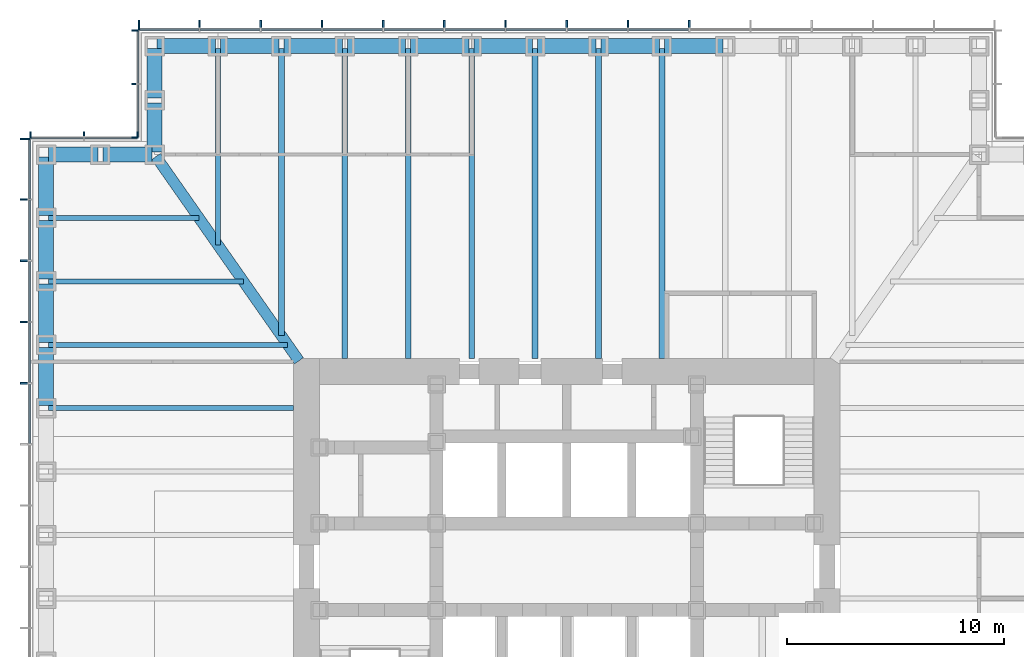
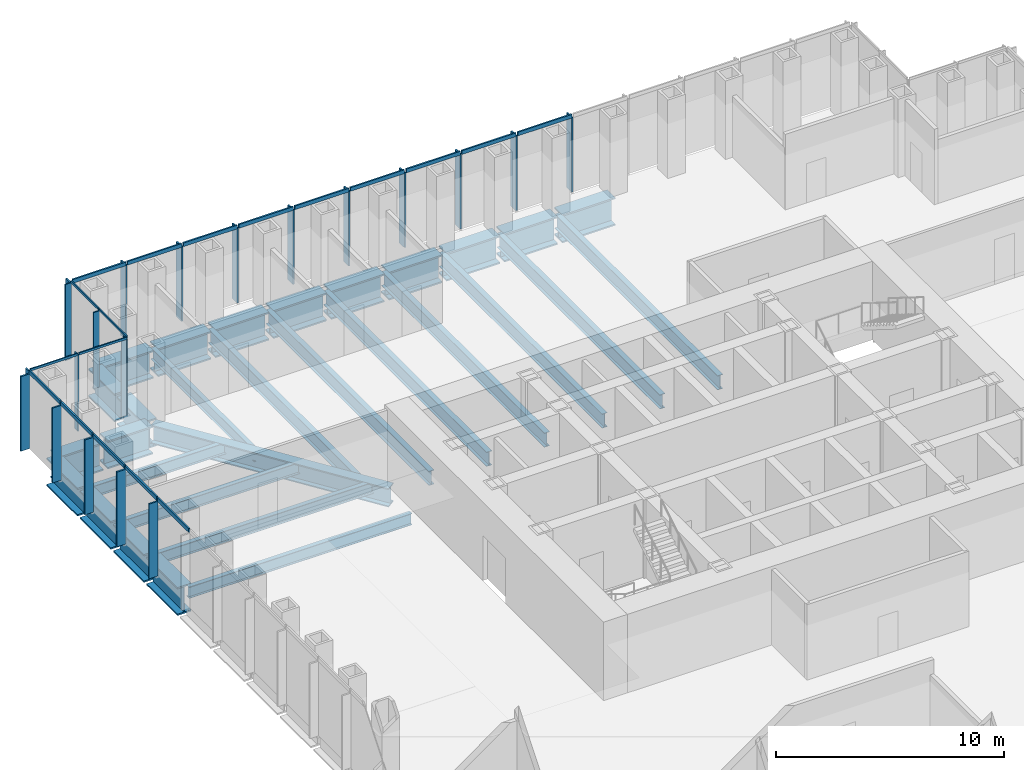
# One storey, part 5 of 16: 39 members, 30 beams, 4 elements without a shape of their own.
"""IFC4 building model written with IfcOpenShell, lengths in metres."""

from ifc_helpers import new_model, si_unit, direction, frame, origin, origin_2d, place, context, subcontext, project, spatial, rectangle, i_section, extrude, material, material_profile, profile_set, type_object, element, aggregate, save


model = new_model("IFC4")

# Units and contexts
model_context = context("Model", 3, precision=1e-05, world=origin(), true_north=direction((0.0, 1.0)))
body_context = subcontext(model_context, "Body", "Model", "MODEL_VIEW")
ifc_project = project(units=[si_unit("LENGTHUNIT", "METRE"), si_unit("AREAUNIT", "SQUARE_METRE"), si_unit("VOLUMEUNIT", "CUBIC_METRE"), si_unit("PLANEANGLEUNIT", "RADIAN"), si_unit("MASSUNIT", "GRAM", prefix="KILO")], contexts=[model_context])

# Site, building, storey
site_placement = place(None, origin())
site = spatial("IfcSite", under=ifc_project, at=site_placement, CompositionType="ELEMENT")
building_placement = place(site_placement, origin())
building = spatial("IfcBuilding", under=site, at=building_placement, Name="Daluyong Arena Tower", CompositionType="ELEMENT")
storey_placement = place(building_placement, frame((0.0, 0.0, 68.5)))
storey = spatial("IfcBuildingStorey", under=building, at=storey_placement, Name="L14", CompositionType="ELEMENT", Elevation=68.5)

# Curtain wall, members
ifc_material_1 = material(Name="Bronze anodised aluminium and glass", Category="aluminium")
curtain_wall_type_1 = type_object("IfcCurtainWallType", Name="Curtain wall CW1", PredefinedType="USERDEFINED", material=ifc_material_1)
curtain_wall_1_placement = place(storey_placement, origin())
curtain_wall_1 = element("IfcCurtainWall", 1, at=curtain_wall_1_placement, inside=storey, type_object=curtain_wall_type_1, Name="curtain wall L14 N", ObjectType="UNITISED CURTAIN WALL", PredefinedType="USERDEFINED")
ifc_material_2 = material(Name="Bronze anodised aluminium fin", Category="aluminium")
ifc_material_profile_1 = material_profile(ifc_material_2, rectangle(XDim=0.449951171875, YDim=0.080078125, at=origin_2d()))
ifc_profile_set_1 = profile_set([ifc_material_profile_1], Name="Bronze anodised aluminium fin")
member_type_1 = type_object("IfcMemberType", Name="CW1 bronze fin 450x80", PredefinedType="MULLION", material=ifc_profile_set_1)
member_1_placement = place(storey_placement, frame((61.642822265625, 104.97509765625, 0.0), z_axis=(0.0, 0.0, 1.0), x_axis=(0.0, -1.0, 0.0)))
member_1 = element("IfcMember", 2, at=member_1_placement, type_object=member_type_1, Name="curtain wall L14 N fin 6", PredefinedType="MULLION", context=body_context, shape_type="SweptSolid", body=[
    extrude(rectangle(XDim=0.449951171875, YDim=0.080078125, at=origin_2d()), origin(), (0.0, 0.0, 1.0), 4.0),
])
member_2_placement = place(storey_placement, frame((58.821533203125, 104.97509765625, 0.0), z_axis=(0.0, 0.0, 1.0), x_axis=(0.0, -1.0, 0.0)))
member_2 = element("IfcMember", 3, at=member_2_placement, type_object=member_type_1, Name="curtain wall L14 N fin 7", PredefinedType="MULLION", context=body_context, shape_type="SweptSolid", body=[
    extrude(rectangle(XDim=0.449951171875, YDim=0.080078125, at=origin_2d()), origin(), (0.0, 0.0, 1.0), 4.0),
])
member_3_placement = place(storey_placement, frame((56.0, 104.97509765625, 0.0), z_axis=(0.0, 0.0, 1.0), x_axis=(0.0, -1.0, 0.0)))
member_3 = element("IfcMember", 4, at=member_3_placement, type_object=member_type_1, Name="curtain wall L14 N fin 8", PredefinedType="MULLION", context=body_context, shape_type="SweptSolid", body=[
    extrude(rectangle(XDim=0.449951171875, YDim=0.080078125, at=origin_2d()), origin(), (0.0, 0.0, 1.0), 4.0),
])
member_4_placement = place(storey_placement, frame((53.178466796875, 104.97509765625, 0.0), z_axis=(0.0, 0.0, 1.0), x_axis=(0.0, -1.0, 0.0)))
member_4 = element("IfcMember", 5, at=member_4_placement, type_object=member_type_1, Name="curtain wall L14 N fin 9", PredefinedType="MULLION", context=body_context, shape_type="SweptSolid", body=[
    extrude(rectangle(XDim=0.449951171875, YDim=0.080078125, at=origin_2d()), origin(), (0.0, 0.0, 1.0), 4.0),
])
member_5_placement = place(storey_placement, frame((50.357177734375, 104.97509765625, 0.0), z_axis=(0.0, 0.0, 1.0), x_axis=(0.0, -1.0, 0.0)))
member_5 = element("IfcMember", 6, at=member_5_placement, type_object=member_type_1, Name="curtain wall L14 N fin 10", PredefinedType="MULLION", context=body_context, shape_type="SweptSolid", body=[
    extrude(rectangle(XDim=0.449951171875, YDim=0.080078125, at=origin_2d()), origin(), (0.0, 0.0, 1.0), 4.0),
])
member_6_placement = place(storey_placement, frame((47.53564453125, 104.97509765625, 0.0), z_axis=(0.0, 0.0, 1.0), x_axis=(0.0, -1.0, 0.0)))
member_6 = element("IfcMember", 7, at=member_6_placement, type_object=member_type_1, Name="curtain wall L14 N fin 11", PredefinedType="MULLION", context=body_context, shape_type="SweptSolid", body=[
    extrude(rectangle(XDim=0.449951171875, YDim=0.080078125, at=origin_2d()), origin(), (0.0, 0.0, 1.0), 4.0),
])
member_7_placement = place(storey_placement, frame((44.71435546875, 104.97509765625, 0.0), z_axis=(0.0, 0.0, 1.0), x_axis=(0.0, -1.0, 0.0)))
member_7 = element("IfcMember", 8, at=member_7_placement, type_object=member_type_1, Name="curtain wall L14 N fin 12", PredefinedType="MULLION", context=body_context, shape_type="SweptSolid", body=[
    extrude(rectangle(XDim=0.449951171875, YDim=0.080078125, at=origin_2d()), origin(), (0.0, 0.0, 1.0), 4.0),
])
member_8_placement = place(storey_placement, frame((41.892822265625, 104.97509765625, 0.0), z_axis=(0.0, 0.0, 1.0), x_axis=(0.0, -1.0, 0.0)))
member_8 = element("IfcMember", 9, at=member_8_placement, type_object=member_type_1, Name="curtain wall L14 N fin 13", PredefinedType="MULLION", context=body_context, shape_type="SweptSolid", body=[
    extrude(rectangle(XDim=0.449951171875, YDim=0.080078125, at=origin_2d()), origin(), (0.0, 0.0, 1.0), 4.0),
])
member_9_placement = place(storey_placement, frame((39.071533203125, 104.97509765625, 0.0), z_axis=(0.0, 0.0, 1.0), x_axis=(0.0, -1.0, 0.0)))
member_9 = element("IfcMember", 10, at=member_9_placement, type_object=member_type_1, Name="curtain wall L14 N fin 14", PredefinedType="MULLION", context=body_context, shape_type="SweptSolid", body=[
    extrude(rectangle(XDim=0.449951171875, YDim=0.080078125, at=origin_2d()), origin(), (0.0, 0.0, 1.0), 4.0),
])
member_10_placement = place(storey_placement, frame((36.2900390625, 104.97509765625, 0.0), z_axis=(0.0, 0.0, 1.0), x_axis=(0.0, -1.0, 0.0)))
member_10 = element("IfcMember", 11, at=member_10_placement, type_object=member_type_1, Name="curtain wall L14 N fin 15", PredefinedType="MULLION", context=body_context, shape_type="SweptSolid", body=[
    extrude(rectangle(XDim=0.449951171875, YDim=0.080078125, at=origin_2d()), origin(), (0.0, 0.0, 1.0), 4.0),
])

curtain_wall_2_placement = place(storey_placement, origin())
curtain_wall_2 = element("IfcCurtainWall", 12, at=curtain_wall_2_placement, inside=storey, type_object=curtain_wall_type_1, Name="curtain wall L14 W", ObjectType="UNITISED CURTAIN WALL", PredefinedType="USERDEFINED")
member_11_placement = place(storey_placement, frame((31.02490234375, 99.7099609375, 0.0), z_axis=(0.0, 0.0, 1.0), x_axis=(1.0, 0.0, 0.0)))
member_11 = element("IfcMember", 13, at=member_11_placement, type_object=member_type_1, Name="curtain wall L14 W fin 1", PredefinedType="MULLION", context=body_context, shape_type="SweptSolid", body=[
    extrude(rectangle(XDim=0.449951171875, YDim=0.080078125, at=origin_2d()), origin(), (0.0, 0.0, 1.0), 4.0),
])
member_12_placement = place(storey_placement, frame((31.02490234375, 96.928466796875, 0.0), z_axis=(0.0, 0.0, 1.0), x_axis=(1.0, 0.0, 0.0)))
member_12 = element("IfcMember", 14, at=member_12_placement, type_object=member_type_1, Name="curtain wall L14 W fin 2", PredefinedType="MULLION", context=body_context, shape_type="SweptSolid", body=[
    extrude(rectangle(XDim=0.449951171875, YDim=0.080078125, at=origin_2d()), origin(), (0.0, 0.0, 1.0), 4.0),
])
member_13_placement = place(storey_placement, frame((31.02490234375, 94.107177734375, 0.0), z_axis=(0.0, 0.0, 1.0), x_axis=(1.0, 0.0, 0.0)))
member_13 = element("IfcMember", 15, at=member_13_placement, type_object=member_type_1, Name="curtain wall L14 W fin 3", PredefinedType="MULLION", context=body_context, shape_type="SweptSolid", body=[
    extrude(rectangle(XDim=0.449951171875, YDim=0.080078125, at=origin_2d()), origin(), (0.0, 0.0, 1.0), 4.0),
])
member_14_placement = place(storey_placement, frame((31.02490234375, 91.28564453125, 0.0), z_axis=(0.0, 0.0, 1.0), x_axis=(1.0, 0.0, 0.0)))
member_14 = element("IfcMember", 16, at=member_14_placement, type_object=member_type_1, Name="curtain wall L14 W fin 4", PredefinedType="MULLION", context=body_context, shape_type="SweptSolid", body=[
    extrude(rectangle(XDim=0.449951171875, YDim=0.080078125, at=origin_2d()), origin(), (0.0, 0.0, 1.0), 4.0),
])
member_15_placement = place(storey_placement, frame((31.02490234375, 88.46435546875, 0.0), z_axis=(0.0, 0.0, 1.0), x_axis=(1.0, 0.0, 0.0)))
member_15 = element("IfcMember", 17, at=member_15_placement, type_object=member_type_1, Name="curtain wall L14 W fin 5", PredefinedType="MULLION", context=body_context, shape_type="SweptSolid", body=[
    extrude(rectangle(XDim=0.449951171875, YDim=0.080078125, at=origin_2d()), origin(), (0.0, 0.0, 1.0), 4.0),
])

# Member
ifc_material_3 = material(Name="Bronze anodised aluminium", Category="aluminium")
ifc_material_profile_2 = material_profile(ifc_material_3, rectangle(XDim=0.080078125, YDim=0.199951171875, at=origin_2d()))
ifc_profile_set_2 = profile_set([ifc_material_profile_2], Name="Bronze anodised aluminium")
member_type_2 = type_object("IfcMemberType", Name="CW1 stack transom 200x80", PredefinedType="USERDEFINED", material=ifc_profile_set_2)
member_16_placement = place(storey_placement, frame((61.602783203125, 104.75, 4.10009765625), z_axis=(-1.0, 0.0, 0.0), x_axis=(0.0, -1.0, 0.0)))
member_16 = element("IfcMember", 18, at=member_16_placement, type_object=member_type_2, Name="curtain wall L14 N transom 6", ObjectType="TRANSOM", PredefinedType="USERDEFINED", context=body_context, shape_type="SweptSolid", body=[
    extrude(rectangle(XDim=0.080078125, YDim=0.199951171875, at=origin_2d()), origin(), (0.0, 0.0, 1.0), 2.741455078125),
])

member_17_placement = place(storey_placement, frame((58.781494140625, 104.75, 4.10009765625), z_axis=(-1.0, 0.0, 0.0), x_axis=(0.0, -1.0, 0.0)))
member_17 = element("IfcMember", 19, at=member_17_placement, type_object=member_type_2, Name="curtain wall L14 N transom 7", ObjectType="TRANSOM", PredefinedType="USERDEFINED", context=body_context, shape_type="SweptSolid", body=[
    extrude(rectangle(XDim=0.080078125, YDim=0.199951171875, at=origin_2d()), origin(), (0.0, 0.0, 1.0), 2.741455078125),
])

member_18_placement = place(storey_placement, frame((55.9599609375, 104.75, 4.10009765625), z_axis=(-1.0, 0.0, 0.0), x_axis=(0.0, -1.0, 0.0)))
member_18 = element("IfcMember", 20, at=member_18_placement, type_object=member_type_2, Name="curtain wall L14 N transom 8", ObjectType="TRANSOM", PredefinedType="USERDEFINED", context=body_context, shape_type="SweptSolid", body=[
    extrude(rectangle(XDim=0.080078125, YDim=0.199951171875, at=origin_2d()), origin(), (0.0, 0.0, 1.0), 2.741455078125),
])

member_19_placement = place(storey_placement, frame((53.138671875, 104.75, 4.10009765625), z_axis=(-1.0, 0.0, 0.0), x_axis=(0.0, -1.0, 0.0)))
member_19 = element("IfcMember", 21, at=member_19_placement, type_object=member_type_2, Name="curtain wall L14 N transom 9", ObjectType="TRANSOM", PredefinedType="USERDEFINED", context=body_context, shape_type="SweptSolid", body=[
    extrude(rectangle(XDim=0.080078125, YDim=0.199951171875, at=origin_2d()), origin(), (0.0, 0.0, 1.0), 2.741455078125),
])

member_20_placement = place(storey_placement, frame((50.317138671875, 104.75, 4.10009765625), z_axis=(-1.0, 0.0, 0.0), x_axis=(0.0, -1.0, 0.0)))
member_20 = element("IfcMember", 22, at=member_20_placement, type_object=member_type_2, Name="curtain wall L14 N transom 10", ObjectType="TRANSOM", PredefinedType="USERDEFINED", context=body_context, shape_type="SweptSolid", body=[
    extrude(rectangle(XDim=0.080078125, YDim=0.199951171875, at=origin_2d()), origin(), (0.0, 0.0, 1.0), 2.741455078125),
])

member_21_placement = place(storey_placement, frame((47.49560546875, 104.75, 4.10009765625), z_axis=(-1.0, 0.0, 0.0), x_axis=(0.0, -1.0, 0.0)))
member_21 = element("IfcMember", 23, at=member_21_placement, type_object=member_type_2, Name="curtain wall L14 N transom 11", ObjectType="TRANSOM", PredefinedType="USERDEFINED", context=body_context, shape_type="SweptSolid", body=[
    extrude(rectangle(XDim=0.080078125, YDim=0.199951171875, at=origin_2d()), origin(), (0.0, 0.0, 1.0), 2.7412109375),
])

member_22_placement = place(storey_placement, frame((44.67431640625, 104.75, 4.10009765625), z_axis=(-1.0, 0.0, 0.0), x_axis=(0.0, -1.0, 0.0)))
member_22 = element("IfcMember", 24, at=member_22_placement, type_object=member_type_2, Name="curtain wall L14 N transom 12", ObjectType="TRANSOM", PredefinedType="USERDEFINED", context=body_context, shape_type="SweptSolid", body=[
    extrude(rectangle(XDim=0.080078125, YDim=0.199951171875, at=origin_2d()), origin(), (0.0, 0.0, 1.0), 2.741455078125),
])

member_23_placement = place(storey_placement, frame((41.852783203125, 104.75, 4.10009765625), z_axis=(-1.0, 0.0, 0.0), x_axis=(0.0, -1.0, 0.0)))
member_23 = element("IfcMember", 25, at=member_23_placement, type_object=member_type_2, Name="curtain wall L14 N transom 13", ObjectType="TRANSOM", PredefinedType="USERDEFINED", context=body_context, shape_type="SweptSolid", body=[
    extrude(rectangle(XDim=0.080078125, YDim=0.199951171875, at=origin_2d()), origin(), (0.0, 0.0, 1.0), 2.741455078125),
])

member_24_placement = place(storey_placement, frame((39.031494140625, 104.75, 4.10009765625), z_axis=(-1.0, 0.0, 0.0), x_axis=(0.0, -1.0, 0.0)))
member_24 = element("IfcMember", 26, at=member_24_placement, type_object=member_type_2, Name="curtain wall L14 N transom 14", ObjectType="TRANSOM", PredefinedType="USERDEFINED", context=body_context, shape_type="SweptSolid", body=[
    extrude(rectangle(XDim=0.080078125, YDim=0.199951171875, at=origin_2d()), origin(), (0.0, 0.0, 1.0), 2.701416015625),
])

aggregate(curtain_wall_1, [member_1, member_2, member_3, member_4, member_5, member_6, member_7, member_8, member_9, member_10, member_16, member_17, member_18, member_19, member_20, member_21, member_22, member_23, member_24])

member_25_placement = place(storey_placement, frame((31.25, 99.669921875, 4.10009765625), z_axis=(0.0, -1.0, 0.0), x_axis=(1.0, 0.0, 0.0)))
member_25 = element("IfcMember", 27, at=member_25_placement, type_object=member_type_2, Name="curtain wall L14 W transom 1", ObjectType="TRANSOM", PredefinedType="USERDEFINED", context=body_context, shape_type="SweptSolid", body=[
    extrude(rectangle(XDim=0.080078125, YDim=0.199951171875, at=origin_2d()), origin(), (0.0, 0.0, 1.0), 2.701416015625),
])

member_26_placement = place(storey_placement, frame((31.25, 96.888671875, 4.10009765625), z_axis=(0.0, -1.0, 0.0), x_axis=(1.0, 0.0, 0.0)))
member_26 = element("IfcMember", 28, at=member_26_placement, type_object=member_type_2, Name="curtain wall L14 W transom 2", ObjectType="TRANSOM", PredefinedType="USERDEFINED", context=body_context, shape_type="SweptSolid", body=[
    extrude(rectangle(XDim=0.080078125, YDim=0.199951171875, at=origin_2d()), origin(), (0.0, 0.0, 1.0), 2.741455078125),
])

member_27_placement = place(storey_placement, frame((31.25, 94.067138671875, 4.10009765625), z_axis=(0.0, -1.0, 0.0), x_axis=(1.0, 0.0, 0.0)))
member_27 = element("IfcMember", 29, at=member_27_placement, type_object=member_type_2, Name="curtain wall L14 W transom 3", ObjectType="TRANSOM", PredefinedType="USERDEFINED", context=body_context, shape_type="SweptSolid", body=[
    extrude(rectangle(XDim=0.080078125, YDim=0.199951171875, at=origin_2d()), origin(), (0.0, 0.0, 1.0), 2.741455078125),
])

member_28_placement = place(storey_placement, frame((31.25, 91.24560546875, 4.10009765625), z_axis=(0.0, -1.0, 0.0), x_axis=(1.0, 0.0, 0.0)))
member_28 = element("IfcMember", 30, at=member_28_placement, type_object=member_type_2, Name="curtain wall L14 W transom 4", ObjectType="TRANSOM", PredefinedType="USERDEFINED", context=body_context, shape_type="SweptSolid", body=[
    extrude(rectangle(XDim=0.080078125, YDim=0.199951171875, at=origin_2d()), origin(), (0.0, 0.0, 1.0), 2.7412109375),
])

member_29_placement = place(storey_placement, frame((31.25, 88.42431640625, 4.10009765625), z_axis=(0.0, -1.0, 0.0), x_axis=(1.0, 0.0, 0.0)))
member_29 = element("IfcMember", 31, at=member_29_placement, type_object=member_type_2, Name="curtain wall L14 W transom 5", ObjectType="TRANSOM", PredefinedType="USERDEFINED", context=body_context, shape_type="SweptSolid", body=[
    extrude(rectangle(XDim=0.080078125, YDim=0.199951171875, at=origin_2d()), origin(), (0.0, 0.0, 1.0), 2.741455078125),
])

aggregate(curtain_wall_2, [member_11, member_12, member_13, member_14, member_15, member_25, member_26, member_27, member_28, member_29])

# Curtain wall, members
ifc_material_4 = material(Name="Bronze anodised aluminium and glass", Category="aluminium")
curtain_wall_type_2 = type_object("IfcCurtainWallType", Name="Curtain wall CW7", PredefinedType="USERDEFINED", material=ifc_material_4)
curtain_wall_3_placement = place(storey_placement, origin())
curtain_wall_3 = element("IfcCurtainWall", 32, at=curtain_wall_3_placement, inside=storey, type_object=curtain_wall_type_2, Name="curtain wall L14 NW-W", ObjectType="UNITISED CURTAIN WALL", PredefinedType="USERDEFINED")
ifc_material_5 = material(Name="Bronze anodised aluminium fin", Category="aluminium")
ifc_material_profile_3 = material_profile(ifc_material_5, rectangle(XDim=0.300048828125, YDim=0.06005859375, at=origin_2d()))
ifc_profile_set_3 = profile_set([ifc_material_profile_3], Name="Bronze anodised aluminium fin")
member_type_3 = type_object("IfcMemberType", Name="CW7 bronze fin 300x60", PredefinedType="MULLION", material=ifc_profile_set_3)
member_30_placement = place(storey_placement, frame((36.10009765625, 104.719970703125, 0.0), z_axis=(0.0, 0.0, 1.0), x_axis=(1.0, 0.0, 0.0)))
member_30 = element("IfcMember", 33, at=member_30_placement, type_object=member_type_3, Name="curtain wall L14 NW-W fin 1", PredefinedType="MULLION", context=body_context, shape_type="SweptSolid", body=[
    extrude(rectangle(XDim=0.300048828125, YDim=0.06005859375, at=origin_2d()), origin(), (0.0, 0.0, 1.0), 4.080078125),
])
member_31_placement = place(storey_placement, frame((36.10009765625, 102.25, 0.0), z_axis=(0.0, 0.0, 1.0), x_axis=(1.0, 0.0, 0.0)))
member_31 = element("IfcMember", 34, at=member_31_placement, type_object=member_type_3, Name="curtain wall L14 NW-W fin 2", PredefinedType="MULLION", context=body_context, shape_type="SweptSolid", body=[
    extrude(rectangle(XDim=0.300048828125, YDim=0.06005859375, at=origin_2d()), origin(), (0.0, 0.0, 1.0), 4.080078125),
])
member_32_placement = place(storey_placement, frame((36.10009765625, 99.780029296875, 0.0), z_axis=(0.0, 0.0, 1.0), x_axis=(1.0, 0.0, 0.0)))
member_32 = element("IfcMember", 35, at=member_32_placement, type_object=member_type_3, Name="curtain wall L14 NW-W fin 3", PredefinedType="MULLION", context=body_context, shape_type="SweptSolid", body=[
    extrude(rectangle(XDim=0.300048828125, YDim=0.06005859375, at=origin_2d()), origin(), (0.0, 0.0, 1.0), 4.080078125),
])

curtain_wall_4_placement = place(storey_placement, origin())
curtain_wall_4 = element("IfcCurtainWall", 36, at=curtain_wall_4_placement, inside=storey, type_object=curtain_wall_type_2, Name="curtain wall L14 NW-N", ObjectType="UNITISED CURTAIN WALL", PredefinedType="USERDEFINED")
member_33_placement = place(storey_placement, frame((36.219970703125, 99.89990234375, 0.0), z_axis=(0.0, 0.0, 1.0), x_axis=(0.0, -1.0, 0.0)))
member_33 = element("IfcMember", 37, at=member_33_placement, type_object=member_type_3, Name="curtain wall L14 NW-N fin 1", PredefinedType="MULLION", context=body_context, shape_type="SweptSolid", body=[
    extrude(rectangle(XDim=0.300048828125, YDim=0.06005859375, at=origin_2d()), origin(), (0.0, 0.0, 1.0), 4.080078125),
])
member_34_placement = place(storey_placement, frame((33.75, 99.89990234375, 0.0), z_axis=(0.0, 0.0, 1.0), x_axis=(0.0, -1.0, 0.0)))
member_34 = element("IfcMember", 38, at=member_34_placement, type_object=member_type_3, Name="curtain wall L14 NW-N fin 2", PredefinedType="MULLION", context=body_context, shape_type="SweptSolid", body=[
    extrude(rectangle(XDim=0.300048828125, YDim=0.06005859375, at=origin_2d()), origin(), (0.0, 0.0, 1.0), 4.080078125),
])
member_35_placement = place(storey_placement, frame((31.280029296875, 99.89990234375, 0.0), z_axis=(0.0, 0.0, 1.0), x_axis=(0.0, -1.0, 0.0)))
member_35 = element("IfcMember", 39, at=member_35_placement, type_object=member_type_3, Name="curtain wall L14 NW-N fin 3", PredefinedType="MULLION", context=body_context, shape_type="SweptSolid", body=[
    extrude(rectangle(XDim=0.300048828125, YDim=0.06005859375, at=origin_2d()), origin(), (0.0, 0.0, 1.0), 4.080078125),
])

# Member
ifc_material_6 = material(Name="Bronze anodised aluminium", Category="aluminium")
ifc_material_profile_4 = material_profile(ifc_material_6, rectangle(XDim=0.06005859375, YDim=0.1201171875, at=origin_2d()))
ifc_profile_set_4 = profile_set([ifc_material_profile_4], Name="Bronze anodised aluminium")
member_type_4 = type_object("IfcMemberType", Name="CW7 stack transom 120x60", PredefinedType="USERDEFINED", material=ifc_profile_set_4)
member_36_placement = place(storey_placement, frame((36.25, 104.68994140625, 4.139892578125), z_axis=(0.0, -1.0, 0.0), x_axis=(1.0, 0.0, 0.0)))
member_36 = element("IfcMember", 40, at=member_36_placement, type_object=member_type_4, Name="curtain wall L14 NW-W transom 1", ObjectType="TRANSOM", PredefinedType="USERDEFINED", context=body_context, shape_type="SweptSolid", body=[
    extrude(rectangle(XDim=0.06005859375, YDim=0.1201171875, at=origin_2d()), origin(), (0.0, 0.0, 1.0), 2.409912109375),
])

member_37_placement = place(storey_placement, frame((36.25, 102.219970703125, 4.139892578125), z_axis=(0.0, -1.0, 0.0), x_axis=(1.0, 0.0, 0.0)))
member_37 = element("IfcMember", 41, at=member_37_placement, type_object=member_type_4, Name="curtain wall L14 NW-W transom 2", ObjectType="TRANSOM", PredefinedType="USERDEFINED", context=body_context, shape_type="SweptSolid", body=[
    extrude(rectangle(XDim=0.06005859375, YDim=0.1201171875, at=origin_2d()), origin(), (0.0, 0.0, 1.0), 2.409912109375),
])

aggregate(curtain_wall_3, [member_30, member_31, member_32, member_36, member_37])

member_38_placement = place(storey_placement, frame((36.18994140625, 99.75, 4.139892578125), z_axis=(-1.0, 0.0, 0.0), x_axis=(0.0, -1.0, 0.0)))
member_38 = element("IfcMember", 42, at=member_38_placement, type_object=member_type_4, Name="curtain wall L14 NW-N transom 1", ObjectType="TRANSOM", PredefinedType="USERDEFINED", context=body_context, shape_type="SweptSolid", body=[
    extrude(rectangle(XDim=0.06005859375, YDim=0.1201171875, at=origin_2d()), origin(), (0.0, 0.0, 1.0), 2.409912109375),
])

member_39_placement = place(storey_placement, frame((33.719970703125, 99.75, 4.139892578125), z_axis=(-1.0, 0.0, 0.0), x_axis=(0.0, -1.0, 0.0)))
member_39 = element("IfcMember", 43, at=member_39_placement, type_object=member_type_4, Name="curtain wall L14 NW-N transom 2", ObjectType="TRANSOM", PredefinedType="USERDEFINED", context=body_context, shape_type="SweptSolid", body=[
    extrude(rectangle(XDim=0.06005859375, YDim=0.1201171875, at=origin_2d()), origin(), (0.0, 0.0, 1.0), 2.409912109375),
])

aggregate(curtain_wall_4, [member_33, member_34, member_35, member_38, member_39])

# Beams
ifc_material_7 = material(Name="Steel ASTM A572 Grade 50", Category="steel")
ifc_material_profile_5 = material_profile(ifc_material_7, i_section(OverallWidth=0.5, OverallDepth=1.0, WebThickness=0.03, FlangeThickness=0.06, at=origin_2d()))
ifc_profile_set_5 = profile_set([ifc_material_profile_5], Name="Steel ASTM A572 Grade 50")
beam_type_1 = type_object("IfcBeamType", Name="Corner girder TB1000X500", PredefinedType="BEAM", material=ifc_profile_set_5)
beam_1_placement = place(storey_placement, frame((37.06591796875, 98.90576171875, -0.659912109375), z_axis=(0.573466621875, -0.819228926244, 0.0), x_axis=(0.819228926244, 0.573466621875, 0.0)))
element("IfcBeam", 44, at=beam_1_placement, inside=storey, type_object=beam_type_1, Name="corner girder DG2", PredefinedType="BEAM", context=body_context, shape_type="SweptSolid", body=[
    extrude(i_section(OverallWidth=0.5, OverallDepth=1.0, WebThickness=0.03, FlangeThickness=0.06, at=origin_2d()), origin(), (0.0, 0.0, 1.0), 11.49169921875),
])
ifc_material_8 = material(Name="Steel ASTM A992 Grade 50", Category="steel")
ifc_material_profile_6 = material_profile(ifc_material_8, i_section(OverallWidth=0.22900390625, OverallDepth=0.612060546875, WebThickness=0.011962890625, FlangeThickness=0.01953125, at=origin_2d()))
ifc_profile_set_6 = profile_set([ifc_material_profile_6], Name="Steel ASTM A992 Grade 50")
beam_type_2 = type_object("IfcBeamType", Name="Floor beam W24X84", PredefinedType="BEAM", material=ifc_profile_set_6)
beam_2_placement = place(storey_placement, frame((39.923095703125, 103.885009765625, -0.466064453125), z_axis=(0.0, -1.0, 0.0), x_axis=(1.0, 0.0, 0.0)))
element("IfcBeam", 45, at=beam_2_placement, inside=storey, type_object=beam_type_2, Name="floor beam FB3", PredefinedType="BEAM", context=body_context, shape_type="SweptSolid", body=[
    extrude(i_section(OverallWidth=0.22900390625, OverallDepth=0.612060546875, WebThickness=0.011962890625, FlangeThickness=0.01953125, at=origin_2d()), origin(), (0.0, 0.0, 1.0), 9.060791015625),
])
beam_3_placement = place(storey_placement, frame((32.114990234375, 96.076904296875, -0.466064453125), z_axis=(1.0, 0.0, 0.0), x_axis=(0.0, 1.0, 0.0)))
element("IfcBeam", 46, at=beam_3_placement, inside=storey, type_object=beam_type_2, Name="floor beam FB3", PredefinedType="BEAM", context=body_context, shape_type="SweptSolid", body=[
    extrude(i_section(OverallWidth=0.22900390625, OverallDepth=0.612060546875, WebThickness=0.011962890625, FlangeThickness=0.01953125, at=origin_2d()), origin(), (0.0, 0.0, 1.0), 6.93115234375),
])
beam_4_placement = place(storey_placement, frame((32.114990234375, 93.15380859375, -0.466064453125), z_axis=(1.0, 0.0, 0.0), x_axis=(0.0, 1.0, 0.0)))
element("IfcBeam", 47, at=beam_4_placement, inside=storey, type_object=beam_type_2, Name="floor beam FB3", PredefinedType="BEAM", context=body_context, shape_type="SweptSolid", body=[
    extrude(i_section(OverallWidth=0.22900390625, OverallDepth=0.612060546875, WebThickness=0.011962890625, FlangeThickness=0.01953125, at=origin_2d()), origin(), (0.0, 0.0, 1.0), 8.977294921875),
])
beam_5_placement = place(storey_placement, frame((32.114990234375, 90.230712890625, -0.466064453125), z_axis=(1.0, 0.0, 0.0), x_axis=(0.0, 1.0, 0.0)))
element("IfcBeam", 48, at=beam_5_placement, inside=storey, type_object=beam_type_2, Name="floor beam FB3", PredefinedType="BEAM", context=body_context, shape_type="SweptSolid", body=[
    extrude(i_section(OverallWidth=0.22900390625, OverallDepth=0.612060546875, WebThickness=0.011962890625, FlangeThickness=0.01953125, at=origin_2d()), origin(), (0.0, 0.0, 1.0), 11.0234375),
])
beam_6_placement = place(storey_placement, frame((32.114990234375, 87.3076171875, -0.466064453125), z_axis=(1.0, 0.0, 0.0), x_axis=(0.0, 1.0, 0.0)))
element("IfcBeam", 49, at=beam_6_placement, inside=storey, type_object=beam_type_2, Name="floor beam FB3", PredefinedType="BEAM", context=body_context, shape_type="SweptSolid", body=[
    extrude(i_section(OverallWidth=0.22900390625, OverallDepth=0.612060546875, WebThickness=0.011962890625, FlangeThickness=0.01953125, at=origin_2d()), origin(), (0.0, 0.0, 1.0), 11.284912109375),
])
ifc_material_9 = material(Name="Steel ASTM A992 Grade 50", Category="steel")
ifc_material_profile_7 = material_profile(ifc_material_9, i_section(OverallWidth=0.2666015625, OverallDepth=0.761962890625, WebThickness=0.014404296875, FlangeThickness=0.021484375, at=origin_2d()))
ifc_profile_set_7 = profile_set([ifc_material_profile_7], Name="Steel ASTM A992 Grade 50")
beam_type_3 = type_object("IfcBeamType", Name="Floor beam W30X116", PredefinedType="BEAM", material=ifc_profile_set_7)
for number, where, z_axis, x_axis, name in (
    (50, (60.384521484375, 103.885009765625, -0.541015625), (0.0, -1.0, 0.0), (1.0, 0.0, 0.0), "floor beam FB4"),
    (51, (57.46142578125, 103.885009765625, -0.541015625), (0.0, -1.0, 0.0), (1.0, 0.0, 0.0), "floor beam FB4"),
    (52, (54.53857421875, 103.885009765625, -0.541015625), (0.0, -1.0, 0.0), (1.0, 0.0, 0.0), "floor beam FB4"),
    (53, (51.615478515625, 103.885009765625, -0.541015625), (0.0, -1.0, 0.0), (1.0, 0.0, 0.0), "floor beam FB4"),
    (54, (48.6923828125, 103.885009765625, -0.541015625), (0.0, -1.0, 0.0), (1.0, 0.0, 0.0), "floor beam FB4"),
    (55, (45.769287109375, 103.885009765625, -0.541015625), (0.0, -1.0, 0.0), (1.0, 0.0, 0.0), "floor beam FB4"),
):
    element("IfcBeam", number, at=place(storey_placement, frame(where, z_axis=z_axis, x_axis=x_axis)), inside=storey, type_object=beam_type_3, Name=name, PredefinedType="BEAM", context=body_context, shape_type="SweptSolid", body=[
        extrude(i_section(OverallWidth=0.2666015625, OverallDepth=0.761962890625, WebThickness=0.014404296875, FlangeThickness=0.021484375, at=origin_2d()), origin(), (0.0, 0.0, 1.0), 14.284912109375),
    ])
beam_7_placement = place(storey_placement, frame((42.84619140625, 103.885009765625, -0.541015625), z_axis=(0.0, -1.0, 0.0), x_axis=(1.0, 0.0, 0.0)))
element("IfcBeam", 56, at=beam_7_placement, inside=storey, type_object=beam_type_3, Name="floor beam FB4", PredefinedType="BEAM", context=body_context, shape_type="SweptSolid", body=[
    extrude(i_section(OverallWidth=0.2666015625, OverallDepth=0.761962890625, WebThickness=0.014404296875, FlangeThickness=0.021484375, at=origin_2d()), origin(), (0.0, 0.0, 1.0), 13.236572265625),
])
ifc_material_10 = material(Name="Steel ASTM A572 Grade 50", Category="steel")
ifc_material_profile_8 = material_profile(ifc_material_10, i_section(OverallWidth=0.699951171875, OverallDepth=1.5, WebThickness=0.04, FlangeThickness=0.08, at=origin_2d()))
ifc_profile_set_8 = profile_set([ifc_material_profile_8], Name="Steel ASTM A572 Grade 50")
beam_type_4 = type_object("IfcBeamType", Name="Spandrel Z1 PG1500X700", PredefinedType="SPANDREL", material=ifc_profile_set_8)
for number, where, z_axis, x_axis, name in (
    (57, (63.192626953125, 104.0, -0.909912109375), (-1.0, 0.0, 0.0), (0.0, -1.0, 0.0), "spandrel z1 SB4"),
    (58, (60.26953125, 104.0, -0.909912109375), (-1.0, 0.0, 0.0), (0.0, -1.0, 0.0), "spandrel z1 SB4"),
):
    element("IfcBeam", number, at=place(storey_placement, frame(where, z_axis=z_axis, x_axis=x_axis)), inside=storey, type_object=beam_type_4, Name=name, PredefinedType="SPANDREL", context=body_context, shape_type="SweptSolid", body=[
        extrude(i_section(OverallWidth=0.699951171875, OverallDepth=1.5, WebThickness=0.04, FlangeThickness=0.08, at=origin_2d()), origin(), (0.0, 0.0, 1.0), 2.693115234375),
    ])
beam_8_placement = place(storey_placement, frame((57.346435546875, 104.0, -0.909912109375), z_axis=(-1.0, 0.0, 0.0), x_axis=(0.0, -1.0, 0.0)))
element("IfcBeam", 59, at=beam_8_placement, inside=storey, type_object=beam_type_4, Name="spandrel z1 SB4", PredefinedType="SPANDREL", context=body_context, shape_type="SweptSolid", body=[
    extrude(i_section(OverallWidth=0.699951171875, OverallDepth=1.5, WebThickness=0.04, FlangeThickness=0.08, at=origin_2d()), origin(), (0.0, 0.0, 1.0), 2.69287109375),
])
for number, where, z_axis, x_axis, name in (
    (60, (54.423583984375, 104.0, -0.909912109375), (-1.0, 0.0, 0.0), (0.0, -1.0, 0.0), "spandrel z1 SB4"),
    (61, (51.50048828125, 104.0, -0.909912109375), (-1.0, 0.0, 0.0), (0.0, -1.0, 0.0), "spandrel z1 SB4"),
    (62, (48.577392578125, 104.0, -0.909912109375), (-1.0, 0.0, 0.0), (0.0, -1.0, 0.0), "spandrel z1 SB4"),
    (63, (45.654296875, 104.0, -0.909912109375), (-1.0, 0.0, 0.0), (0.0, -1.0, 0.0), "spandrel z1 SB4"),
    (64, (42.731201171875, 104.0, -0.909912109375), (-1.0, 0.0, 0.0), (0.0, -1.0, 0.0), "spandrel z1 SB4"),
    (65, (39.80810546875, 104.0, -0.909912109375), (-1.0, 0.0, 0.0), (0.0, -1.0, 0.0), "spandrel z1 SB4"),
):
    element("IfcBeam", number, at=place(storey_placement, frame(where, z_axis=z_axis, x_axis=x_axis)), inside=storey, type_object=beam_type_4, Name=name, PredefinedType="SPANDREL", context=body_context, shape_type="SweptSolid", body=[
        extrude(i_section(OverallWidth=0.699951171875, OverallDepth=1.5, WebThickness=0.04, FlangeThickness=0.08, at=origin_2d()), origin(), (0.0, 0.0, 1.0), 2.693115234375),
    ])
for number, where, z_axis, x_axis, name in (
    (66, (37.0, 103.885009765625, -0.909912109375), (0.0, -1.0, 0.0), (1.0, 0.0, 0.0), "spandrel z1 SB4"),
    (67, (37.0, 101.385009765625, -0.909912109375), (0.0, -1.0, 0.0), (1.0, 0.0, 0.0), "spandrel z1 SB4"),
    (68, (36.885009765625, 99.0, -0.909912109375), (-1.0, 0.0, 0.0), (0.0, -1.0, 0.0), "spandrel z1 SB4"),
    (69, (34.385009765625, 99.0, -0.909912109375), (-1.0, 0.0, 0.0), (0.0, -1.0, 0.0), "spandrel z1 SB4"),
):
    element("IfcBeam", number, at=place(storey_placement, frame(where, z_axis=z_axis, x_axis=x_axis)), inside=storey, type_object=beam_type_4, Name=name, PredefinedType="SPANDREL", context=body_context, shape_type="SweptSolid", body=[
        extrude(i_section(OverallWidth=0.699951171875, OverallDepth=1.5, WebThickness=0.04, FlangeThickness=0.08, at=origin_2d()), origin(), (0.0, 0.0, 1.0), 2.27001953125),
    ])
for number, where, z_axis, x_axis, name in (
    (70, (32.0, 98.885009765625, -0.909912109375), (0.0, -1.0, 0.0), (1.0, 0.0, 0.0), "spandrel z1 SB4"),
    (71, (32.0, 95.9619140625, -0.909912109375), (0.0, -1.0, 0.0), (1.0, 0.0, 0.0), "spandrel z1 SB4"),
    (72, (32.0, 93.038818359375, -0.909912109375), (0.0, -1.0, 0.0), (1.0, 0.0, 0.0), "spandrel z1 SB4"),
    (73, (32.0, 90.11572265625, -0.909912109375), (0.0, -1.0, 0.0), (1.0, 0.0, 0.0), "spandrel z1 SB4"),
):
    element("IfcBeam", number, at=place(storey_placement, frame(where, z_axis=z_axis, x_axis=x_axis)), inside=storey, type_object=beam_type_4, Name=name, PredefinedType="SPANDREL", context=body_context, shape_type="SweptSolid", body=[
        extrude(i_section(OverallWidth=0.699951171875, OverallDepth=1.5, WebThickness=0.04, FlangeThickness=0.08, at=origin_2d()), origin(), (0.0, 0.0, 1.0), 2.693115234375),
    ])

save(model, "model.ifc")
